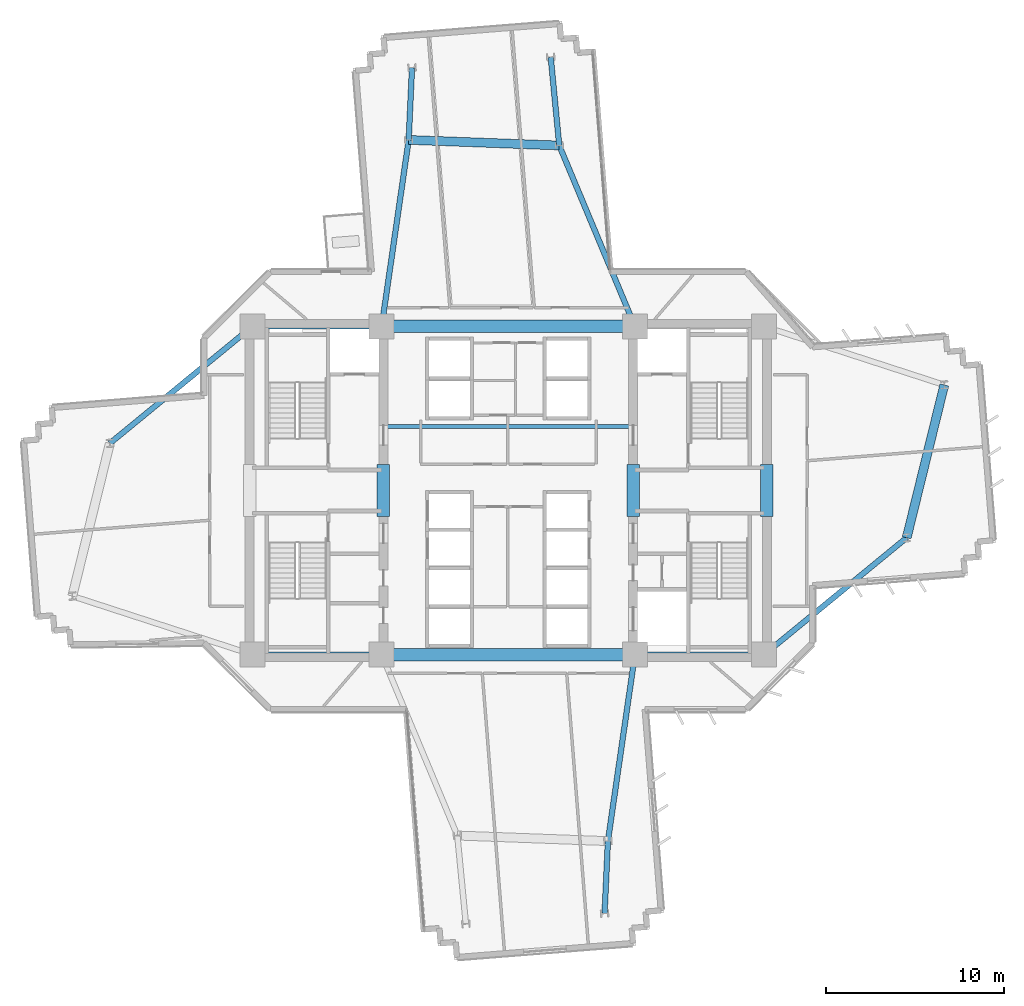
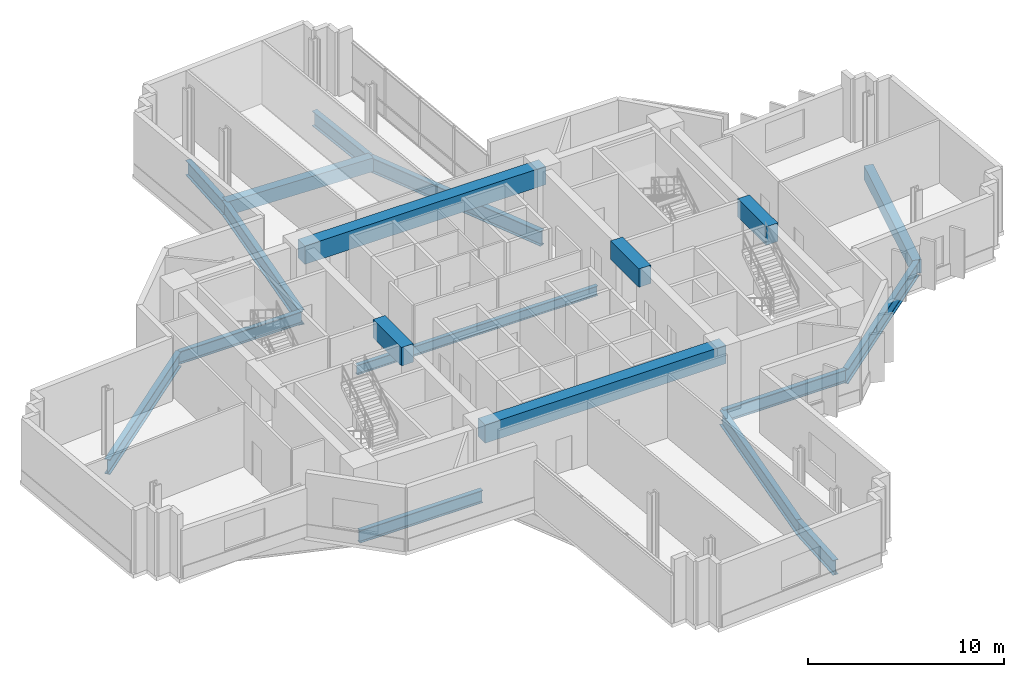
# One storey, part 3 of 15: 19 beams.
"""IFC4 building model written with IfcOpenShell, lengths in metres."""

from ifc_helpers import new_model, si_unit, direction, frame, origin, origin_2d, place, context, subcontext, project, spatial, rectangle, i_section, extrude, source, transform, mapped, material, material_profile, profile_set, type_object, element, save


model = new_model("IFC4")

# Units and contexts
model_context = context("Model", 3, precision=1e-05, world=origin(), true_north=direction((0.0, 1.0)))
body_context = subcontext(model_context, "Body", "Model", "MODEL_VIEW")
ifc_project = project(units=[si_unit("LENGTHUNIT", "METRE"), si_unit("AREAUNIT", "SQUARE_METRE"), si_unit("VOLUMEUNIT", "CUBIC_METRE"), si_unit("PLANEANGLEUNIT", "RADIAN"), si_unit("MASSUNIT", "GRAM", prefix="KILO")], contexts=[model_context])

# Site, building, storey
site_placement = place(None, origin())
site = spatial("IfcSite", under=ifc_project, at=site_placement, CompositionType="ELEMENT")
building_placement = place(site_placement, origin())
building = spatial("IfcBuilding", under=site, at=building_placement, Name="Zahravan Cultural Tower", CompositionType="ELEMENT")
storey_placement = place(building_placement, frame((0.0, 0.0, 83.699951171875)))
storey = spatial("IfcBuildingStorey", under=building, at=storey_placement, Name="L18", CompositionType="ELEMENT", Elevation=83.699951171875)

# Beams
ifc_material_1 = material(Name="Concrete C50/60", Category="concrete")
ifc_material_profile_1 = material_profile(ifc_material_1, rectangle(XDim=0.699951171875, YDim=1.14990234375, at=origin_2d()), Name="RC700X1150")
ifc_profile_set_1 = profile_set([ifc_material_profile_1], Name="Concrete C50/60")
beam_type_1 = type_object("IfcBeamType", Name="BM-LN-RC700X1150", PredefinedType="LINTEL", material=ifc_profile_set_1)
shared_shape_1 = source(origin(), body_context, "Body", "SweptSolid", [
    extrude(rectangle(XDim=0.699951171875, YDim=1.14990234375, at=origin_2d()), origin(), (0.0, 0.0, 1.0), 14.2001953125),
])
for number, where, z_axis, x_axis, name in (
    (1, (28.89990234375, 17.800048828125, 3.375), (1.0, 0.0, 0.0), (0.0, 1.0, 0.0), "L18 Beam LN-L18-S"),
    (2, (28.89990234375, 36.199951171875, 3.375), (1.0, 0.0, 0.0), (0.0, 1.0, 0.0), "L18 Beam LN-L18-N"),
):
    element("IfcBeam", number, at=place(storey_placement, frame(where, z_axis=z_axis, x_axis=x_axis)), inside=storey, type_object=beam_type_1, Name=name, PredefinedType="LINTEL", context=body_context, shape_type="MappedRepresentation", body=[
        mapped(shared_shape_1, transform((0.0, 0.0, 0.0), x_axis=(1.0, 0.0, 0.0), y_axis=(0.0, 1.0, 0.0), z_axis=(0.0, 0.0, 1.0), scale=1.0)),
    ])
shared_shape_2 = source(origin(), body_context, "Body", "SweptSolid", [
    extrude(rectangle(XDim=0.699951171875, YDim=1.14990234375, at=origin_2d()), origin(), (0.0, 0.0, 1.0), 2.89990234375),
])
for number, where, z_axis, x_axis, name in (
    (3, (29.0, 25.550048828125, 3.375), (0.0, 1.0, 0.0), (-1.0, 0.0, 0.0), "L18 Beam LN-L18-PWE"),
    (4, (43.0, 25.550048828125, 3.375), (0.0, 1.0, 0.0), (-1.0, 0.0, 0.0), "L18 Beam LN-L18-PEW"),
    (5, (50.5, 25.550048828125, 3.375), (0.0, 1.0, 0.0), (-1.0, 0.0, 0.0), "L18 Beam LN-L18-PEE"),
):
    element("IfcBeam", number, at=place(storey_placement, frame(where, z_axis=z_axis, x_axis=x_axis)), inside=storey, type_object=beam_type_1, Name=name, PredefinedType="LINTEL", context=body_context, shape_type="MappedRepresentation", body=[
        mapped(shared_shape_2, transform((0.0, 0.0, 0.0), x_axis=(1.0, 0.0, 0.0), y_axis=(0.0, 1.0, 0.0), z_axis=(0.0, 0.0, 1.0), scale=1.0)),
    ])
ifc_material_2 = material(Name="Steel ASTM A992 Grade 50", Category="steel")
ifc_material_profile_2 = material_profile(ifc_material_2, i_section(OverallWidth=0.26611328125, OverallDepth=0.780029296875, WebThickness=0.0166015625, FlangeThickness=0.030029296875, FilletRadius=0.01904296875, at=origin_2d()), Name="W30X148")
ifc_profile_set_2 = profile_set([ifc_material_profile_2], Name="Steel ASTM A992 Grade 50")
beam_type_2 = type_object("IfcBeamType", Name="BM-G-W30X148", PredefinedType="BEAM", material=ifc_profile_set_2)
shared_shape_3 = source(origin(), body_context, "Body", "SweptSolid", [
    extrude(i_section(OverallWidth=0.26611328125, OverallDepth=0.780029296875, WebThickness=0.0166015625, FlangeThickness=0.030029296875, FilletRadius=0.01904296875, at=origin_2d()), origin(), (0.0, 0.0, 1.0), 7.25),
])
for number, where, z_axis, x_axis, name in (
    (6, (21.64990234375, 17.800048828125, -0.639892578125), (1.0, 0.0, 0.0), (0.0, 1.0, 0.0), "L18 Beam BG-L18-01"),
    (7, (21.64990234375, 36.199951171875, -0.639892578125), (1.0, 0.0, 0.0), (0.0, 1.0, 0.0), "L18 Beam BG-L18-02"),
    (8, (43.10009765625, 17.800048828125, -0.639892578125), (1.0, 0.0, 0.0), (0.0, 1.0, 0.0), "L18 Beam BG-L18-04"),
):
    element("IfcBeam", number, at=place(storey_placement, frame(where, z_axis=z_axis, x_axis=x_axis)), inside=storey, type_object=beam_type_2, Name=name, PredefinedType="BEAM", context=body_context, shape_type="MappedRepresentation", body=[
        mapped(shared_shape_3, transform((0.0, 0.0, 0.0), x_axis=(1.0, 0.0, 0.0), y_axis=(0.0, 1.0, 0.0), z_axis=(0.0, 0.0, 1.0), scale=1.0)),
    ])
ifc_material_profile_3 = material_profile(ifc_material_2, i_section(OverallWidth=0.30908203125, OverallDepth=0.931884765625, WebThickness=0.02099609375, FlangeThickness=0.034423828125, FilletRadius=0.02392578125, at=origin_2d()), Name="W36X210")
ifc_profile_set_3 = profile_set([ifc_material_profile_3], Name="Steel ASTM A992 Grade 50")
beam_type_3 = type_object("IfcBeamType", Name="BM-G-W36X210", PredefinedType="BEAM", material=ifc_profile_set_3)
shared_shape_4 = source(origin(), body_context, "Body", "SweptSolid", [
    extrude(i_section(OverallWidth=0.30908203125, OverallDepth=0.931884765625, WebThickness=0.02099609375, FlangeThickness=0.034423828125, FilletRadius=0.02392578125, at=origin_2d()), origin(), (0.0, 0.0, 1.0), 10.997802734375),
])
beam_1_placement = place(storey_placement, frame((43.10009765625, 36.199951171875, -0.716064453125), z_axis=(-0.385775211449, 0.922592806297, 0.0), x_axis=(-0.922592806297, -0.385775211449, 0.0)))
element("IfcBeam", 9, at=beam_1_placement, inside=storey, type_object=beam_type_3, Name="L18 Beam BG-L18-12", PredefinedType="BEAM", context=body_context, shape_type="MappedRepresentation", body=[
    mapped(shared_shape_4, transform((0.0, 0.0, 0.0), x_axis=(1.0, 0.0, 0.0), y_axis=(0.0, 1.0, 0.0), z_axis=(0.0, 0.0, 1.0), scale=1.0)),
])
shared_shape_5 = source(origin(), body_context, "Body", "SweptSolid", [
    extrude(i_section(OverallWidth=0.30908203125, OverallDepth=0.931884765625, WebThickness=0.02099609375, FlangeThickness=0.034423828125, FilletRadius=0.02392578125, at=origin_2d()), origin(), (0.0, 0.0, 1.0), 10.5673828125),
])
for number, where, z_axis, x_axis, name in (
    (10, (43.10009765625, 17.800048828125, -0.716064453125), (-0.143377913539, -0.989668011966, 0.0), (0.989668011966, -0.143377913539, 0.0), "L18 Beam BG-L18-09"),
    (11, (28.89990234375, 36.199951171875, -0.716064453125), (0.143377913539, 0.989668011966, 0.0), (-0.989668011966, 0.143377913539, 0.0), "L18 Beam BG-L18-13"),
):
    element("IfcBeam", number, at=place(storey_placement, frame(where, z_axis=z_axis, x_axis=x_axis)), inside=storey, type_object=beam_type_3, Name=name, PredefinedType="BEAM", context=body_context, shape_type="MappedRepresentation", body=[
        mapped(shared_shape_5, transform((0.0, 0.0, 0.0), x_axis=(1.0, 0.0, 0.0), y_axis=(0.0, 1.0, 0.0), z_axis=(0.0, 0.0, 1.0), scale=1.0)),
    ])
shared_shape_6 = source(origin(), body_context, "Body", "SweptSolid", [
    extrude(i_section(OverallWidth=0.30908203125, OverallDepth=0.931884765625, WebThickness=0.02099609375, FlangeThickness=0.034423828125, FilletRadius=0.02392578125, at=origin_2d()), origin(), (0.0, 0.0, 1.0), 10.33203125),
])
for number, where, z_axis, x_axis, name in (
    (12, (50.35009765625, 17.800048828125, -0.716064453125), (0.773231409473, 0.634123952713, 0.0), (-0.634123952713, 0.773231409473, 0.0), "L18 Beam BG-L18-10"),
    (13, (21.64990234375, 36.199951171875, -0.716064453125), (-0.773231409473, -0.634123952713, 0.0), (0.634123952713, -0.773231409473, 0.0), "L18 Beam BG-L18-14"),
):
    element("IfcBeam", number, at=place(storey_placement, frame(where, z_axis=z_axis, x_axis=x_axis)), inside=storey, type_object=beam_type_3, Name=name, PredefinedType="BEAM", context=body_context, shape_type="MappedRepresentation", body=[
        mapped(shared_shape_6, transform((0.0, 0.0, 0.0), x_axis=(1.0, 0.0, 0.0), y_axis=(0.0, 1.0, 0.0), z_axis=(0.0, 0.0, 1.0), scale=1.0)),
    ])
shared_shape_7 = source(origin(), body_context, "Body", "SweptSolid", [
    extrude(i_section(OverallWidth=0.30908203125, OverallDepth=0.931884765625, WebThickness=0.02099609375, FlangeThickness=0.034423828125, FilletRadius=0.02392578125, at=origin_2d()), origin(), (0.0, 0.0, 1.0), 4.973876953125),
])
beam_2_placement = place(storey_placement, frame((38.857421875, 46.346435546875, -0.716064453125), z_axis=(-0.096154779131, 0.995366394073, 0.0), x_axis=(-0.995366394073, -0.096154779131, 0.0)))
element("IfcBeam", 14, at=beam_2_placement, inside=storey, type_object=beam_type_3, Name="L18 Beam BG-L18-15", PredefinedType="BEAM", context=body_context, shape_type="MappedRepresentation", body=[
    mapped(shared_shape_7, transform((0.0, 0.0, 0.0), x_axis=(1.0, 0.0, 0.0), y_axis=(0.0, 1.0, 0.0), z_axis=(0.0, 0.0, 1.0), scale=1.0)),
])
shared_shape_8 = source(origin(), body_context, "Body", "SweptSolid", [
    extrude(i_section(OverallWidth=0.30908203125, OverallDepth=0.931884765625, WebThickness=0.02099609375, FlangeThickness=0.034423828125, FilletRadius=0.02392578125, at=origin_2d()), origin(), (0.0, 0.0, 1.0), 4.0537109375),
])
for number, where, z_axis, x_axis, name in (
    (15, (30.4150390625, 46.658203125, -0.716064453125), (0.045770994677, 0.998951958828, 0.0), (-0.998951958828, 0.045770994677, 0.0), "L18 Beam BG-L18-16"),
    (16, (41.5849609375, 7.341796875, -0.716064453125), (-0.045770994677, -0.998951958828, 0.0), (0.998951958828, -0.045770994677, 0.0), "L18 Beam BG-L18-18"),
):
    element("IfcBeam", number, at=place(storey_placement, frame(where, z_axis=z_axis, x_axis=x_axis)), inside=storey, type_object=beam_type_3, Name=name, PredefinedType="BEAM", context=body_context, shape_type="MappedRepresentation", body=[
        mapped(shared_shape_8, transform((0.0, 0.0, 0.0), x_axis=(1.0, 0.0, 0.0), y_axis=(0.0, 1.0, 0.0), z_axis=(0.0, 0.0, 1.0), scale=1.0)),
    ])
ifc_material_profile_4 = material_profile(ifc_material_1, rectangle(XDim=0.5, YDim=0.85009765625, at=origin_2d()), Name="RC500X850")
ifc_profile_set_4 = profile_set([ifc_material_profile_4], Name="Concrete C50/60")
beam_type_4 = type_object("IfcBeamType", Name="BM-SP-RC500X850", PredefinedType="SPANDREL", material=ifc_profile_set_4)
shared_shape_9 = source(origin(), body_context, "Body", "SweptSolid", [
    extrude(rectangle(XDim=0.5, YDim=0.85009765625, at=origin_2d()), origin(), (0.0, 0.0, 1.0), 8.4482421875),
])
beam_3_placement = place(storey_placement, frame((38.857421875, 46.346435546875, -0.675048828125), z_axis=(-0.999318826256, 0.036903705643, 0.0), x_axis=(-0.036903705643, -0.999318826256, 0.0)))
element("IfcBeam", 17, at=beam_3_placement, inside=storey, type_object=beam_type_4, Name="L18 Beam SP-L18-21", PredefinedType="SPANDREL", context=body_context, shape_type="MappedRepresentation", body=[
    mapped(shared_shape_9, transform((0.0, 0.0, 0.0), x_axis=(1.0, 0.0, 0.0), y_axis=(0.0, 1.0, 0.0), z_axis=(0.0, 0.0, 1.0), scale=1.0)),
])
shared_shape_10 = source(origin(), body_context, "Body", "SweptSolid", [
    extrude(rectangle(XDim=0.5, YDim=0.85009765625, at=origin_2d()), origin(), (0.0, 0.0, 1.0), 8.8232421875),
])
beam_4_placement = place(storey_placement, frame((58.339111328125, 24.351806640625, -0.675048828125), z_axis=(0.238848860516, 0.971056755206, 0.0), x_axis=(-0.971056755206, 0.238848860516, 0.0)))
element("IfcBeam", 18, at=beam_4_placement, inside=storey, type_object=beam_type_4, Name="L18 Beam SP-L18-20", PredefinedType="SPANDREL", context=body_context, shape_type="MappedRepresentation", body=[
    mapped(shared_shape_10, transform((0.0, 0.0, 0.0), x_axis=(1.0, 0.0, 0.0), y_axis=(0.0, 1.0, 0.0), z_axis=(0.0, 0.0, 1.0), scale=1.0)),
])
ifc_material_profile_5 = material_profile(ifc_material_2, i_section(OverallWidth=0.22802734375, OverallDepth=0.60302734375, WebThickness=0.010498046875, FlangeThickness=0.014892578125, FilletRadius=0.014892578125, at=origin_2d()), Name="W24X68")
ifc_profile_set_5 = profile_set([ifc_material_profile_5], Name="Steel ASTM A992 Grade 50")
beam_type_5 = type_object("IfcBeamType", Name="BM-J-W24X68", PredefinedType="JOIST", material=ifc_profile_set_5)
shared_shape_11 = source(origin(), body_context, "Body", "SweptSolid", [
    extrude(i_section(OverallWidth=0.22802734375, OverallDepth=0.60302734375, WebThickness=0.010498046875, FlangeThickness=0.014892578125, FilletRadius=0.014892578125, at=origin_2d()), origin(), (0.0, 0.0, 1.0), 14.2001953125),
])
beam_5_placement = place(storey_placement, frame((28.89990234375, 30.60009765625, -0.551513671875), z_axis=(1.0, 0.0, 0.0), x_axis=(0.0, 1.0, 0.0)))
element("IfcBeam", 19, at=beam_5_placement, inside=storey, type_object=beam_type_5, Name="L18 Beam BJ-L18-23", PredefinedType="JOIST", context=body_context, shape_type="MappedRepresentation", body=[
    mapped(shared_shape_11, transform((0.0, 0.0, 0.0), x_axis=(1.0, 0.0, 0.0), y_axis=(0.0, 1.0, 0.0), z_axis=(0.0, 0.0, 1.0), scale=1.0)),
])

save(model, "model.ifc")
